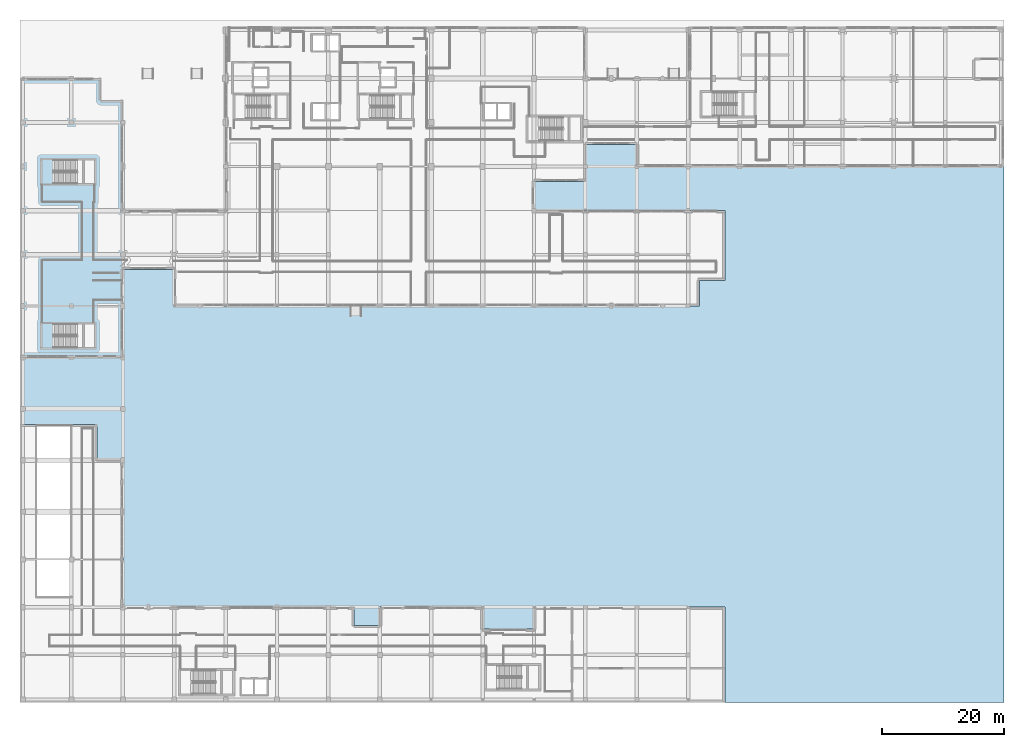
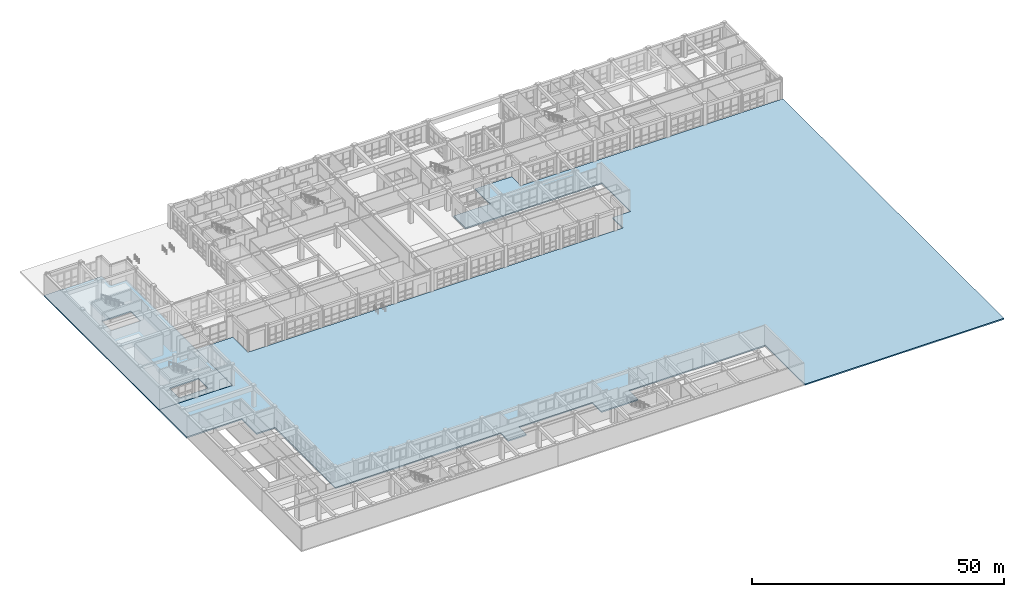
# One storey, part 112 of 148: 2 slabs.
"""IFC4 building model written with IfcOpenShell, lengths in metres."""

from ifc_helpers import new_model, si_unit, direction, frame, origin, place, context, subcontext, project, spatial, polyline, outline, extrude, material, layer, layer_set, type_object, element, save


model = new_model("IFC4")

# Units and contexts
model_context = context("Model", 3, precision=1e-05, world=origin(), true_north=direction((0.0, 1.0)))
body_context = subcontext(model_context, "Body", "Model", "MODEL_VIEW")
ifc_project = project(units=[si_unit("LENGTHUNIT", "METRE"), si_unit("AREAUNIT", "SQUARE_METRE"), si_unit("VOLUMEUNIT", "CUBIC_METRE"), si_unit("PLANEANGLEUNIT", "RADIAN"), si_unit("MASSUNIT", "GRAM", prefix="KILO")], contexts=[model_context])

# Site, building, storey
site_placement = place(None, origin())
site = spatial("IfcSite", under=ifc_project, at=site_placement, CompositionType="ELEMENT")
building_placement = place(site_placement, origin())
building = spatial("IfcBuilding", under=site, at=building_placement, Name="Quendrovan Civic Courthouse", CompositionType="ELEMENT")
storey_placement = place(building_placement, origin())
storey = spatial("IfcBuildingStorey", under=building, at=storey_placement, Name="L01", CompositionType="ELEMENT", Elevation=0.0)

# Slabs
ifc_material_1 = material(Name="Concrete C35/45", Category="concrete")
ifc_layer_1 = layer(ifc_material_1, 0.300048828125, Name="Concrete C35/45")
ifc_layer_set_1 = layer_set([ifc_layer_1], Name="Concrete C35/45")
slab_type_1 = type_object("IfcSlabType", Name="SLB-BASE-300", PredefinedType="BASESLAB", material=ifc_layer_set_1)
slab_1_placement = place(storey_placement, frame((0.0, 0.0, -0.300048828125)))
element("IfcSlab", 1, at=slab_1_placement, inside=storey, type_object=slab_type_1, Name="L01 Civic Courtyard and Colonnade Plaza Slab 1", PredefinedType="BASESLAB", context=body_context, shape_type="SweptSolid", body=[
    extrude(outline(polyline([(115.2099609375, 0.0), (115.2099609375, 15.60009765625), (115.2099609375, 15.60107421875), (115.209716796875, 15.60205078125), (115.209716796875, 15.602783203125), (115.209228515625, 15.603759765625), (115.208740234375, 15.604736328125), (115.208251953125, 15.605712890625), (115.207763671875, 15.606201171875), (115.20703125, 15.607177734375), (115.206298828125, 15.607666015625), (115.20556640625, 15.6083984375), (115.20458984375, 15.60888671875), (115.203857421875, 15.609130859375), (115.202880859375, 15.609619140625), (115.201904296875, 15.60986328125), (115.200927734375, 15.610107421875), (115.199951171875, 15.610107421875), (84.0, 15.610107421875), (83.9990234375, 15.610107421875), (83.998046875, 15.60986328125), (83.9970703125, 15.609619140625), (83.99609375, 15.609130859375), (83.995361328125, 15.60888671875), (83.994384765625, 15.6083984375), (83.99365234375, 15.607666015625), (83.992919921875, 15.607177734375), (83.9921875, 15.606201171875), (83.99169921875, 15.605712890625), (83.9912109375, 15.604736328125), (83.99072265625, 15.603759765625), (83.990478515625, 15.602783203125), (83.990234375, 15.60205078125), (83.989990234375, 15.60107421875), (83.989990234375, 15.60009765625), (83.989990234375, 12.010009765625), (75.610107421875, 12.010009765625), (75.610107421875, 15.60009765625), (75.610107421875, 15.60107421875), (75.60986328125, 15.60205078125), (75.609619140625, 15.602783203125), (75.609130859375, 15.603759765625), (75.60888671875, 15.604736328125), (75.6083984375, 15.605712890625), (75.607666015625, 15.606201171875), (75.607177734375, 15.607177734375), (75.606201171875, 15.607666015625), (75.605712890625, 15.6083984375), (75.604736328125, 15.60888671875), (75.603759765625, 15.609130859375), (75.602783203125, 15.609619140625), (75.60205078125, 15.60986328125), (75.60107421875, 15.610107421875), (75.60009765625, 15.610107421875), (58.800048828125, 15.610107421875), (58.799072265625, 15.610107421875), (58.798095703125, 15.60986328125), (58.797119140625, 15.609619140625), (58.796142578125, 15.609130859375), (58.79541015625, 15.60888671875), (58.79443359375, 15.6083984375), (58.793701171875, 15.607666015625), (58.79296875, 15.607177734375), (58.792236328125, 15.606201171875), (58.791748046875, 15.605712890625), (58.791259765625, 15.604736328125), (58.790771484375, 15.603759765625), (58.790283203125, 15.602783203125), (58.790283203125, 15.60205078125), (58.7900390625, 15.60107421875), (58.7900390625, 15.60009765625), (58.7900390625, 12.610107421875), (54.610107421875, 12.610107421875), (54.610107421875, 15.60009765625), (54.610107421875, 15.60107421875), (54.60986328125, 15.60205078125), (54.609619140625, 15.602783203125), (54.609130859375, 15.603759765625), (54.60888671875, 15.604736328125), (54.6083984375, 15.605712890625), (54.607666015625, 15.606201171875), (54.607177734375, 15.607177734375), (54.606201171875, 15.607666015625), (54.605712890625, 15.6083984375), (54.604736328125, 15.60888671875), (54.603759765625, 15.609130859375), (54.602783203125, 15.609619140625), (54.60205078125, 15.60986328125), (54.60107421875, 15.610107421875), (54.60009765625, 15.610107421875), (16.81005859375, 15.610107421875), (16.81005859375, 39.60009765625), (16.81005859375, 39.60107421875), (16.809814453125, 39.60205078125), (16.8095703125, 39.602783203125), (16.80908203125, 39.603759765625), (16.808837890625, 39.604736328125), (16.808349609375, 39.605712890625), (16.8076171875, 39.606201171875), (16.80712890625, 39.607177734375), (16.806396484375, 39.607666015625), (16.8056640625, 39.6083984375), (16.8046875, 39.60888671875), (16.8037109375, 39.609130859375), (16.802978515625, 39.609619140625), (16.802001953125, 39.60986328125), (16.801025390625, 39.610107421875), (16.800048828125, 39.610107421875), (12.610107421875, 39.610107421875), (12.610107421875, 45.449951171875), (12.610107421875, 45.450927734375), (12.60986328125, 45.451904296875), (12.609619140625, 45.452880859375), (12.609130859375, 45.453857421875), (12.60888671875, 45.45458984375), (12.6083984375, 45.45556640625), (12.607666015625, 45.456298828125), (12.607177734375, 45.45703125), (12.606201171875, 45.457763671875), (12.605712890625, 45.458251953125), (12.604736328125, 45.458740234375), (12.603759765625, 45.459228515625), (12.602783203125, 45.459716796875), (12.60205078125, 45.459716796875), (12.60107421875, 45.4599609375), (12.60009765625, 45.4599609375), (0.0, 45.4599609375), (0.0, 56.389892578125), (16.800048828125, 56.389892578125), (16.801025390625, 56.389892578125), (16.802001953125, 56.39013671875), (16.802978515625, 56.390380859375), (16.8037109375, 56.390869140625), (16.8046875, 56.39111328125), (16.8056640625, 56.3916015625), (16.806396484375, 56.392333984375), (16.80712890625, 56.392822265625), (16.8076171875, 56.393798828125), (16.808349609375, 56.394287109375), (16.808837890625, 56.395263671875), (16.80908203125, 56.396240234375), (16.8095703125, 56.397216796875), (16.809814453125, 56.39794921875), (16.81005859375, 56.39892578125), (16.81005859375, 56.39990234375), (16.81005859375, 70.7900390625), (25.18994140625, 70.7900390625), (25.18994140625, 64.800048828125), (25.18994140625, 64.799072265625), (25.190185546875, 64.798095703125), (25.1904296875, 64.797119140625), (25.19091796875, 64.796142578125), (25.191162109375, 64.79541015625), (25.191650390625, 64.79443359375), (25.1923828125, 64.793701171875), (25.19287109375, 64.79296875), (25.193603515625, 64.792236328125), (25.1943359375, 64.791748046875), (25.1953125, 64.791259765625), (25.1962890625, 64.790771484375), (25.197021484375, 64.790283203125), (25.197998046875, 64.790283203125), (25.198974609375, 64.7900390625), (25.199951171875, 64.7900390625), (111.0, 64.7900390625), (111.0009765625, 64.7900390625), (111.001953125, 64.790283203125), (111.0029296875, 64.790283203125), (111.00390625, 64.790771484375), (111.004638671875, 64.791259765625), (111.005615234375, 64.791748046875), (111.00634765625, 64.792236328125), (111.007080078125, 64.79296875), (111.0078125, 64.793701171875), (111.00830078125, 64.79443359375), (111.0087890625, 64.79541015625), (111.00927734375, 64.796142578125), (111.009521484375, 64.797119140625), (111.009765625, 64.798095703125), (111.010009765625, 64.799072265625), (111.010009765625, 64.800048828125), (111.010009765625, 68.989990234375), (115.199951171875, 68.989990234375), (115.200927734375, 68.989990234375), (115.201904296875, 68.990234375), (115.202880859375, 68.990478515625), (115.203857421875, 68.99072265625), (115.20458984375, 68.9912109375), (115.20556640625, 68.99169921875), (115.206298828125, 68.9921875), (115.20703125, 68.992919921875), (115.207763671875, 68.99365234375), (115.208251953125, 68.994384765625), (115.208740234375, 68.995361328125), (115.209228515625, 68.99609375), (115.209716796875, 68.9970703125), (115.209716796875, 68.998046875), (115.2099609375, 68.9990234375), (115.2099609375, 69.0), (115.2099609375, 80.39990234375), (115.2099609375, 80.40087890625), (115.209716796875, 80.402099609375), (115.209716796875, 80.40283203125), (115.209228515625, 80.40380859375), (115.208740234375, 80.40478515625), (115.208251953125, 80.405517578125), (115.207763671875, 80.40625), (115.20703125, 80.406982421875), (115.206298828125, 80.40771484375), (115.20556640625, 80.408203125), (115.20458984375, 80.40869140625), (115.203857421875, 80.4091796875), (115.202880859375, 80.40966796875), (115.201904296875, 80.409912109375), (115.200927734375, 80.409912109375), (115.199951171875, 80.409912109375), (84.010009765625, 80.409912109375), (84.010009765625, 85.18994140625), (92.39990234375, 85.18994140625), (92.40087890625, 85.18994140625), (92.402099609375, 85.190185546875), (92.40283203125, 85.1904296875), (92.40380859375, 85.19091796875), (92.40478515625, 85.191162109375), (92.405517578125, 85.191650390625), (92.40625, 85.1923828125), (92.406982421875, 85.19287109375), (92.40771484375, 85.193603515625), (92.408203125, 85.1943359375), (92.40869140625, 85.1953125), (92.4091796875, 85.1962890625), (92.40966796875, 85.197021484375), (92.409912109375, 85.197998046875), (92.409912109375, 85.198974609375), (92.409912109375, 85.199951171875), (92.409912109375, 91.18994140625), (100.7900390625, 91.18994140625), (100.7900390625, 87.60009765625), (100.7900390625, 87.59912109375), (100.790283203125, 87.597900390625), (100.790283203125, 87.59716796875), (100.790771484375, 87.59619140625), (100.791259765625, 87.59521484375), (100.791748046875, 87.594482421875), (100.792236328125, 87.59375), (100.79296875, 87.593017578125), (100.793701171875, 87.59228515625), (100.79443359375, 87.591796875), (100.79541015625, 87.59130859375), (100.796142578125, 87.5908203125), (100.797119140625, 87.59033203125), (100.798095703125, 87.590087890625), (100.799072265625, 87.590087890625), (100.800048828125, 87.590087890625), (160.800048828125, 87.590087890625), (160.800048828125, 0.0), (115.2099609375, 0.0)])), origin(), (0.0, 0.0, 1.0), 0.300048828125),
])
ifc_material_2 = material(Name="Post-tensioned concrete C50/60", Category="concrete")
ifc_layer_2 = layer(ifc_material_2, 0.280029296875, Name="Post-tensioned concrete C50/60")
ifc_layer_set_2 = layer_set([ifc_layer_2], Name="Post-tensioned concrete C50/60")
slab_type_2 = type_object("IfcSlabType", Name="SLB-PT-280", PredefinedType="FLOOR", material=ifc_layer_set_2)
slab_2_placement = place(storey_placement, frame((0.0, 0.0, -0.280029296875)))
element("IfcSlab", 2, at=slab_2_placement, inside=storey, type_object=slab_type_2, Name="L01 Structural Floor Slab V4N", PredefinedType="FLOOR", context=body_context, shape_type="SweptSolid", body=[
    extrude(outline(polyline([(0.0, 56.39990234375), (0.0, 102.0), (13.199951171875, 102.0), (13.199951171875, 98.39990234375), (16.800048828125, 98.39990234375), (16.800048828125, 56.39990234375), (0.0, 56.39990234375)]), holes=[polyline([(5.449951171875, 58.0), (12.199951171875, 58.0), (12.199951171875, 61.8798828125), (5.449951171875, 61.8798828125), (5.449951171875, 58.0)]), polyline([(5.449951171875, 84.800048828125), (12.199951171875, 84.800048828125), (12.199951171875, 88.679931640625), (5.449951171875, 88.679931640625), (5.449951171875, 84.800048828125)])]), origin(), (0.0, 0.0, 1.0), 0.280029296875),
])

save(model, "model.ifc")
